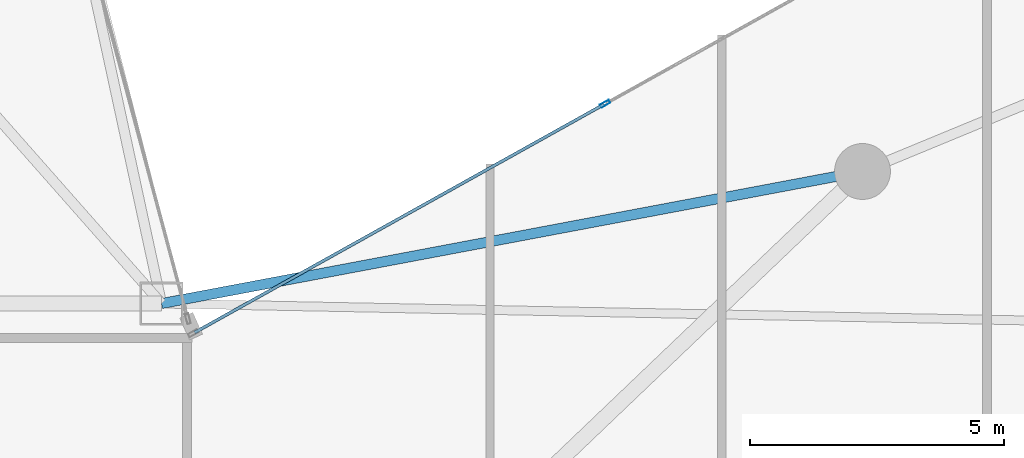
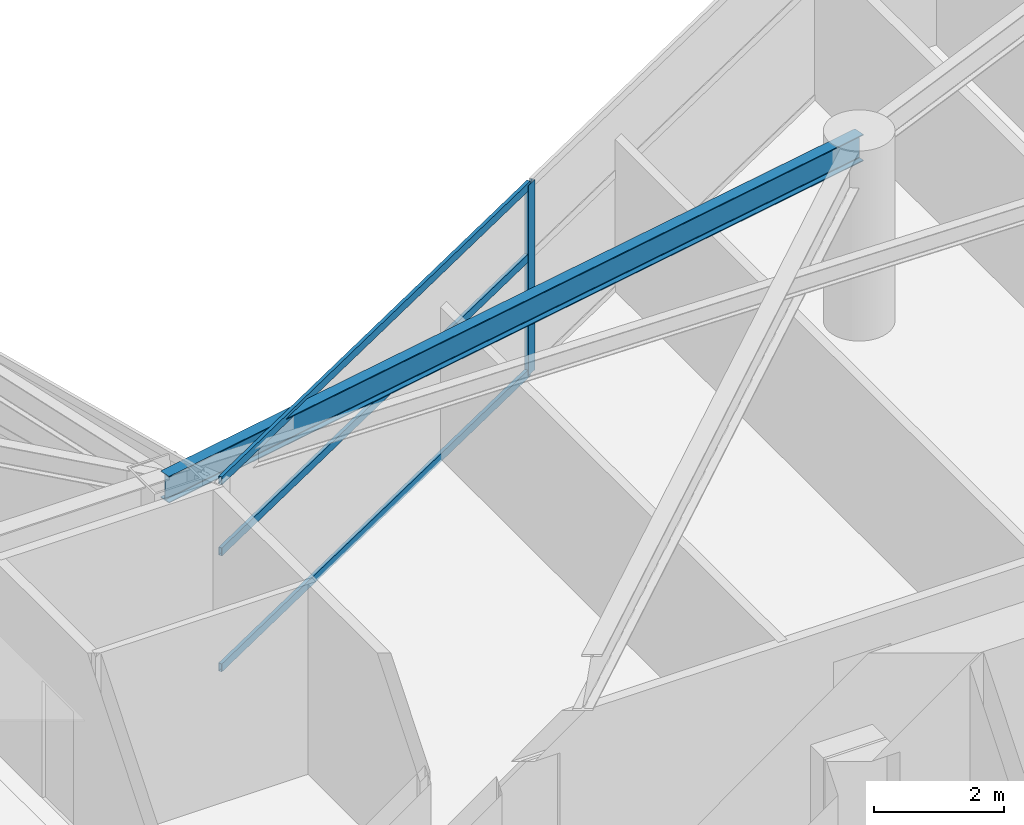
# One storey, part 11 of 28: 4 members, 1 beam, 1 element without a shape of its own.
"""IFC4 building model written with IfcOpenShell, lengths in metres."""

from ifc_helpers import new_model, si_unit, direction, frame, origin, origin_2d, place, context, subcontext, project, spatial, hollow_rectangle, i_section, extrude, material, layer, layer_set, material_profile, profile_set, type_object, element, aggregate, save


model = new_model("IFC4")

# Units and contexts
model_context = context("Model", 3, precision=1e-05, world=origin(), true_north=direction((0.0, 1.0)))
body_context = subcontext(model_context, "Body", "Model", "MODEL_VIEW")
ifc_project = project(units=[si_unit("LENGTHUNIT", "METRE"), si_unit("AREAUNIT", "SQUARE_METRE"), si_unit("VOLUMEUNIT", "CUBIC_METRE"), si_unit("PLANEANGLEUNIT", "RADIAN"), si_unit("MASSUNIT", "GRAM", prefix="KILO")], contexts=[model_context])

# Site, building, storey
site_placement = place(None, origin())
site = spatial("IfcSite", under=ifc_project, at=site_placement, CompositionType="ELEMENT")
building_placement = place(site_placement, origin())
building = spatial("IfcBuilding", under=site, at=building_placement, Name="Calvorn Quay Hotel", CompositionType="ELEMENT")
storey_placement = place(building_placement, frame((0.0, 0.0, 116.39990234375)))
storey = spatial("IfcBuildingStorey", under=building, at=storey_placement, Name="L28", CompositionType="ELEMENT", Elevation=116.39990234375)

# Beam
ifc_material_1 = material(Name="Steel Q355B", Category="steel")
ifc_material_profile_1 = material_profile(ifc_material_1, i_section(OverallWidth=0.199951171875, OverallDepth=0.5, WebThickness=0.010009765625, FlangeThickness=0.01611328125, FilletRadius=0.01611328125, at=origin_2d()), Name="HN500x200x10x16")
ifc_profile_set_1 = profile_set([ifc_material_profile_1], Name="Steel Q355B")
beam_type = type_object("IfcBeamType", Name="BM-SPANDREL-Z1", PredefinedType="SPANDREL", material=ifc_profile_set_1)
beam_placement = place(storey_placement, frame((34.800048828125, 27.60009765625, 3.2900390625), z_axis=(-0.982709432406, -0.185154452988, 0.0), x_axis=(0.185154452988, -0.982709432406, 0.0)))
element("IfcBeam", 1, at=beam_placement, inside=storey, type_object=beam_type, Name="Beam BSP-L28-E5", PredefinedType="SPANDREL", context=body_context, shape_type="SweptSolid", body=[
    extrude(i_section(OverallWidth=0.199951171875, OverallDepth=0.5, WebThickness=0.010009765625, FlangeThickness=0.01611328125, FilletRadius=0.01611328125, at=origin_2d()), origin(), (0.0, 0.0, 1.0), 14.04296875),
])

# Curtain wall, members
ifc_material_2 = material(Name="Pale Anodised Aluminium and Low-E Glass", Category="aluminium")
ifc_layer = layer(ifc_material_2, 0.219970703125)
ifc_layer_set = layer_set([ifc_layer], Name="CW-SYS-Z2")
curtain_wall_type = type_object("IfcCurtainWallType", Name="CW-SYS-Z2", PredefinedType="NOTDEFINED", material=ifc_layer_set)
curtain_wall_placement = place(storey_placement, origin())
curtain_wall = element("IfcCurtainWall", 2, at=curtain_wall_placement, inside=storey, type_object=curtain_wall_type, Name="Inner Court Curtain Wall L28-NE1", PredefinedType="NOTDEFINED")
ifc_material_3 = material(Name="Pale Anodised Aluminium 6063-T6", Category="aluminium")
ifc_material_profile_2 = material_profile(ifc_material_3, hollow_rectangle(XDim=0.070068359375, YDim=0.199951171875, WallThickness=0.00390625, at=origin_2d()), Name="ALU-M200x70x4")
ifc_profile_set_2 = profile_set([ifc_material_profile_2], Name="Pale Anodised Aluminium 6063-T6")
member_type_1 = type_object("IfcMemberType", Name="CW-SYS-Z2-MUL", PredefinedType="MULLION", material=ifc_profile_set_2)
member_1_placement = place(storey_placement, frame((29.7333984375, 28.933349609375, 0.0), z_axis=(0.0, 0.0, 1.0), x_axis=(0.486858256224, -0.873480989116, 0.0)))
member_1 = element("IfcMember", 3, at=member_1_placement, type_object=member_type_1, Name="CW-L28-NE1 mullion 3", PredefinedType="MULLION", context=body_context, shape_type="SweptSolid", body=[
    extrude(hollow_rectangle(XDim=0.070068359375, YDim=0.199951171875, WallThickness=0.00390625, at=origin_2d()), origin(), (0.0, 0.0, 1.0), 3.56005859375),
])
ifc_material_4 = material(Name="Pale Anodised Aluminium 6063-T6", Category="aluminium")
ifc_material_profile_3 = material_profile(ifc_material_4, hollow_rectangle(XDim=0.06005859375, YDim=0.14990234375, WallThickness=0.00341796875, at=origin_2d()), Name="ALU-T150x60x3.5")
ifc_profile_set_3 = profile_set([ifc_material_profile_3], Name="Pale Anodised Aluminium 6063-T6")
member_type_2 = type_object("IfcMemberType", Name="CW-SYS-Z2-TRN", PredefinedType="USERDEFINED", material=ifc_profile_set_3)
member_2_placement = place(storey_placement, frame((29.70703125, 28.918701171875, 0.030029296875), z_axis=(-0.87348080454, -0.486858587375, 0.0), x_axis=(0.486858587375, -0.87348080454, 0.0)))
member_2 = element("IfcMember", 4, at=member_2_placement, type_object=member_type_2, Name="CW-L28-NE1 transom 3.1", ObjectType="TRANSOM", PredefinedType="USERDEFINED", context=body_context, shape_type="SweptSolid", body=[
    extrude(hollow_rectangle(XDim=0.06005859375, YDim=0.14990234375, WallThickness=0.00341796875, at=origin_2d()), origin(), (0.0, 0.0, 1.0), 9.221435546875),
])
member_3_placement = place(storey_placement, frame((29.70703125, 28.918701171875, 2.2001953125), z_axis=(-0.87348080454, -0.486858587375, 0.0), x_axis=(0.486858587375, -0.87348080454, 0.0)))
member_3 = element("IfcMember", 5, at=member_3_placement, type_object=member_type_2, Name="CW-L28-NE1 transom 3.2", ObjectType="TRANSOM", PredefinedType="USERDEFINED", context=body_context, shape_type="SweptSolid", body=[
    extrude(hollow_rectangle(XDim=0.06005859375, YDim=0.14990234375, WallThickness=0.00341796875, at=origin_2d()), origin(), (0.0, 0.0, 1.0), 9.221435546875),
])
member_4_placement = place(storey_placement, frame((29.70703125, 28.918701171875, 3.530029296875), z_axis=(-0.87348080454, -0.486858587375, 0.0), x_axis=(0.486858587375, -0.87348080454, 0.0)))
member_4 = element("IfcMember", 6, at=member_4_placement, type_object=member_type_2, Name="CW-L28-NE1 transom 3.3", ObjectType="TRANSOM", PredefinedType="USERDEFINED", context=body_context, shape_type="SweptSolid", body=[
    extrude(hollow_rectangle(XDim=0.06005859375, YDim=0.14990234375, WallThickness=0.00341796875, at=origin_2d()), origin(), (0.0, 0.0, 1.0), 9.221435546875),
])
aggregate(curtain_wall, [member_1, member_2, member_3, member_4])

save(model, "model.ifc")
